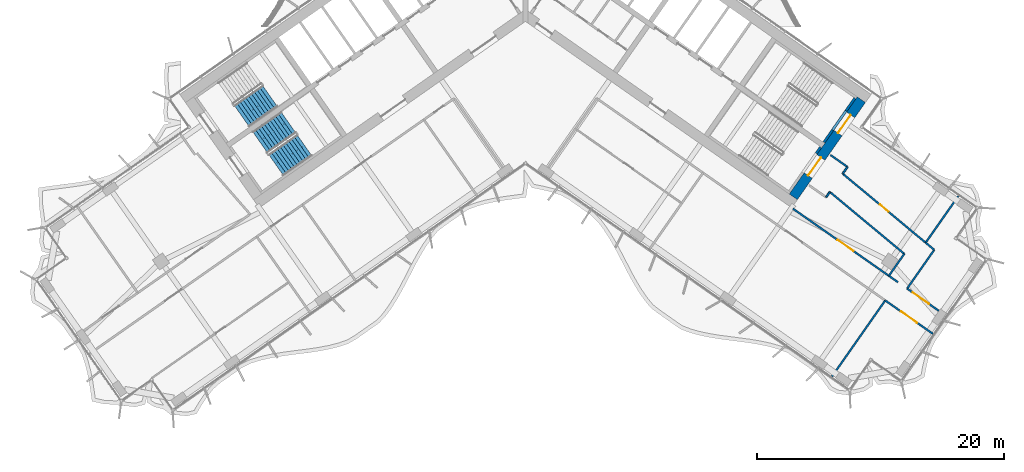
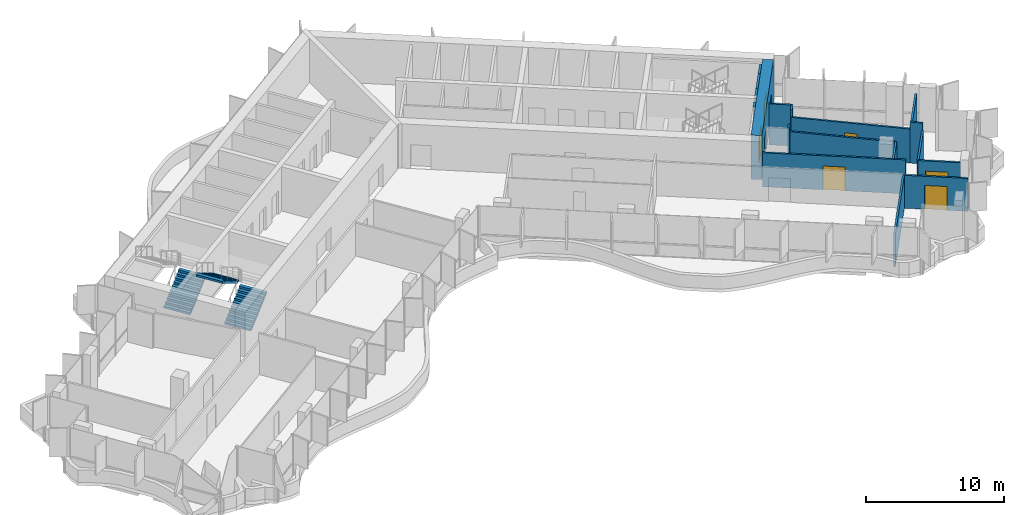
# One storey, part 15 of 21: 18 walls, 6 doors, 3 stair flights, 6 openings, 2 elements without a shape of their own.
"""IFC4 building model written with IfcOpenShell, lengths in metres."""

from ifc_helpers import new_model, si_unit, direction, frame, frame_2d, origin, place, context, subcontext, project, spatial, polyline, rectangle, outline, extrude, material, layer, layer_set, type_object, element, fill, aggregate, save


model = new_model("IFC4")

# Units and contexts
model_context = context("Model", 3, precision=1e-05, world=origin(), true_north=direction((0.0, 1.0)))
body_context = subcontext(model_context, "Body", "Model", "MODEL_VIEW")
ifc_project = project(units=[si_unit("LENGTHUNIT", "METRE"), si_unit("AREAUNIT", "SQUARE_METRE"), si_unit("VOLUMEUNIT", "CUBIC_METRE"), si_unit("PLANEANGLEUNIT", "RADIAN"), si_unit("MASSUNIT", "GRAM", prefix="KILO")], contexts=[model_context])

# Site, building, storey
site_placement = place(None, origin())
site = spatial("IfcSite", under=ifc_project, at=site_placement, CompositionType="ELEMENT")
building_placement = place(site_placement, origin())
building = spatial("IfcBuilding", under=site, at=building_placement, Name="Tel Ilan Convention Tower", CompositionType="ELEMENT")
storey_placement = place(building_placement, frame((0.0, 0.0, 147.60009765625)))
storey = spatial("IfcBuildingStorey", under=building, at=storey_placement, Name="L33", CompositionType="ELEMENT", Elevation=147.60009765625)

# Wall, openings, doors
ifc_material_1 = material(Name="Concrete C50/60", Category="concrete")
ifc_layer_1 = layer(ifc_material_1, 0.800048828125)
ifc_layer_set_1 = layer_set([ifc_layer_1], Name="Core Shear Wall 800 mm C50/60")
wall_type_1 = type_object("IfcWallType", Name="Core Shear Wall 800 mm C50/60", PredefinedType="SHEAR", material=ifc_layer_set_1)
wall_1_placement = place(storey_placement, frame((21.6748046875, -15.4208984375, 0.0), z_axis=(0.0, 0.0, 1.0), x_axis=(0.573581815061, 0.819148278049, 0.0)))
wall_1 = element("IfcWall", 1, at=wall_1_placement, inside=storey, type_object=wall_type_1, Name="L33 core wall E-end", PredefinedType="SHEAR", context=body_context, shape_type="SweptSolid", body=[
    extrude(outline(polyline([(9.599853515625, 0.400146484375), (0.0, 0.39990234375), (0.0, -0.39990234375), (9.599853515625, -0.39990234375), (9.599853515625, 0.400146484375)])), origin(), (0.0, 0.0, 1.0), 3.89990234375),
])
opening_1_placement = place(wall_1_placement, frame((6.300048828125, 0.0, 0.0)))
opening_1 = element("IfcOpeningElement", 2, at=opening_1_placement, cuts=wall_1, Name="Opening SD2703", PredefinedType="OPENING", context=body_context, shape_type="SweptSolid", body=[
    extrude(rectangle(XDim=1.800048828125, YDim=2.10009765625, at=frame_2d((0.89990234375, 1.050048828125))), frame((0.0, 0.409912109375, 0.0), z_axis=(0.0, -1.0, 0.0), x_axis=(1.0, 0.0, 0.0)), (0.0, 0.0, 1.0), 0.820068359375),
])
opening_2_placement = place(wall_1_placement, frame((2.10009765625, 0.0, 0.0)))
opening_2 = element("IfcOpeningElement", 3, at=opening_2_placement, cuts=wall_1, Name="Opening SD2704", PredefinedType="OPENING", context=body_context, shape_type="SweptSolid", body=[
    extrude(rectangle(XDim=1.800048828125, YDim=2.10009765625, at=frame_2d((0.89990234375, 1.050048828125))), frame((0.0, 0.409912109375, 0.0), z_axis=(0.0, -1.0, 0.0), x_axis=(1.0, 0.0, 0.0)), (0.0, 0.0, 1.0), 0.820068359375),
])
ifc_material_2 = material(Name="Galvanised Steel Door Leaf", Category="steel")
door_type_1 = type_object("IfcDoorType", Name="Stair Fire Door 1800 x 2100 FD60S", OperationType="NOTDEFINED", PredefinedType="DOOR", material=ifc_material_2)
door_1_placement = place(opening_1_placement, origin())
door_1 = element("IfcDoor", 4, at=door_1_placement, inside=storey, type_object=door_type_1, Name="Stair S3 door", OperationType="DOUBLE_DOOR_SINGLE_SWING", OverallHeight=2.10009765625, OverallWidth=1.800048828125, PredefinedType="DOOR", context=body_context, shape_type="SweptSolid", body=[
    extrude(rectangle(XDim=1.800048828125, YDim=2.10009765625, at=frame_2d((0.89990234375, 1.050048828125))), frame((0.0, 0.02490234375, 0.0), z_axis=(0.0, -1.0, 0.0), x_axis=(1.0, 0.0, 0.0)), (0.0, 0.0, 1.0), 0.050048828125),
])
fill(opening_1, door_1)
door_2_placement = place(opening_2_placement, origin())
door_2 = element("IfcDoor", 5, at=door_2_placement, inside=storey, type_object=door_type_1, Name="Stair S4 door", OperationType="DOUBLE_DOOR_SINGLE_SWING", OverallHeight=2.10009765625, OverallWidth=1.800048828125, PredefinedType="DOOR", context=body_context, shape_type="SweptSolid", body=[
    extrude(rectangle(XDim=1.800048828125, YDim=2.10009765625, at=frame_2d((0.89990234375, 1.050048828125))), frame((0.0, 0.02490234375, 0.0), z_axis=(0.0, -1.0, 0.0), x_axis=(1.0, 0.0, 0.0)), (0.0, 0.0, 1.0), 0.050048828125),
])
fill(opening_2, door_2)

# Wall, opening, door
ifc_material_3 = material(Name="Plasterboard on Steel Studs", Category="steel")
ifc_layer_2 = layer(ifc_material_3, 0.14990234375)
ifc_layer_set_2 = layer_set([ifc_layer_2], Name="Fire-rated Partition 150 EI 60")
wall_type_2 = type_object("IfcWallType", Name="Fire-rated Partition 150 EI 60", PredefinedType="PARTITIONING", material=ifc_layer_set_2)
wall_2_placement = place(storey_placement, frame((21.641845703125, -16.37451171875, 0.0), z_axis=(0.0, 0.0, 1.0), x_axis=(0.81915236897, -0.573575972658, 0.0)))
wall_2 = element("IfcWall", 6, at=wall_2_placement, inside=storey, type_object=wall_type_2, Name="Partition 001", PredefinedType="PARTITIONING", context=body_context, shape_type="SweptSolid", body=[
    extrude(rectangle(XDim=10.3818359375, YDim=0.14990234375, at=frame_2d((5.19091796875, 0.0))), origin(), (0.0, 0.0, 1.0), 3.0),
])
opening_3_placement = place(wall_2_placement, frame((4.39111328125, 0.0, 0.0)))
opening_3 = element("IfcOpeningElement", 7, at=opening_3_placement, cuts=wall_2, Name="Opening L33-012", PredefinedType="OPENING", context=body_context, shape_type="SweptSolid", body=[
    extrude(rectangle(XDim=1.60009765625, YDim=2.10009765625, at=frame_2d((0.800048828125, 1.050048828125))), frame((0.0, 0.0849609375, 0.0), z_axis=(0.0, -1.0, 0.0), x_axis=(1.0, 0.0, 0.0)), (0.0, 0.0, 1.0), 0.169921875),
])
ifc_material_4 = material(Name="Timber Door Leaf in Steel Frame", Category="steel")
door_type_2 = type_object("IfcDoorType", Name="Tenant Suite Entrance Fire Door 1600x2100", OperationType="NOTDEFINED", PredefinedType="DOOR", material=ifc_material_4)
door_3_placement = place(opening_3_placement, origin())
door_3 = element("IfcDoor", 8, at=door_3_placement, inside=storey, type_object=door_type_2, Name="Door L33-012", OperationType="DOUBLE_DOOR_SINGLE_SWING", OverallHeight=2.10009765625, OverallWidth=1.60009765625, PredefinedType="DOOR", context=body_context, shape_type="SweptSolid", body=[
    extrude(rectangle(XDim=1.60009765625, YDim=2.10009765625, at=frame_2d((0.800048828125, 1.050048828125))), frame((0.0, 0.02490234375, 0.0), z_axis=(0.0, -1.0, 0.0), x_axis=(1.0, 0.0, 0.0)), (0.0, 0.0, 1.0), 0.050048828125),
])
fill(opening_3, door_3)

wall_3_placement = place(storey_placement, frame((30.880126953125, -22.84326171875, 0.0), z_axis=(0.0, 0.0, 1.0), x_axis=(0.819133037421, -0.573603580015, 0.0)))
wall_3 = element("IfcWall", 9, at=wall_3_placement, inside=storey, type_object=wall_type_2, Name="Partition 002", PredefinedType="PARTITIONING", context=body_context, shape_type="SweptSolid", body=[
    extrude(rectangle(XDim=3.132080078125, YDim=0.14990234375, at=frame_2d((1.56591796875, 0.0))), origin(), (0.0, 0.0, 1.0), 3.0),
])
opening_4_placement = place(wall_3_placement, frame((0.56591796875, 0.0, 0.0)))
opening_4 = element("IfcOpeningElement", 10, at=opening_4_placement, cuts=wall_3, Name="Opening L33-013", PredefinedType="OPENING", context=body_context, shape_type="SweptSolid", body=[
    extrude(rectangle(XDim=1.60009765625, YDim=2.10009765625, at=frame_2d((0.800048828125, 1.050048828125))), frame((0.0, 0.0849609375, 0.0), z_axis=(0.0, -1.0, 0.0), x_axis=(1.0, 0.0, 0.0)), (0.0, 0.0, 1.0), 0.169921875),
])
door_4_placement = place(opening_4_placement, origin())
door_4 = element("IfcDoor", 11, at=door_4_placement, inside=storey, type_object=door_type_2, Name="Door L33-013", OperationType="DOUBLE_DOOR_SINGLE_SWING", OverallHeight=2.10009765625, OverallWidth=1.60009765625, PredefinedType="DOOR", context=body_context, shape_type="SweptSolid", body=[
    extrude(rectangle(XDim=1.60009765625, YDim=2.10009765625, at=frame_2d((0.800048828125, 1.050048828125))), frame((0.0, 0.02490234375, 0.0), z_axis=(0.0, -1.0, 0.0), x_axis=(1.0, 0.0, 0.0)), (0.0, 0.0, 1.0), 0.050048828125),
])
fill(opening_4, door_4)

wall_4_placement = place(storey_placement, frame((32.962158203125, -26.49853515625, 0.0), z_axis=(0.0, 0.0, 1.0), x_axis=(-0.819139214842, 0.573594758263, 0.0)))
wall_4 = element("IfcWall", 12, at=wall_4_placement, inside=storey, type_object=wall_type_2, Name="Partition 005", PredefinedType="PARTITIONING", context=body_context, shape_type="SweptSolid", body=[
    extrude(rectangle(XDim=4.701904296875, YDim=0.14990234375, at=frame_2d((2.35107421875, 0.0))), origin(), (0.0, 0.0, 1.0), 2.89990234375),
])
opening_5_placement = place(wall_4_placement, frame((1.551025390625, 0.0, 0.0)))
opening_5 = element("IfcOpeningElement", 13, at=opening_5_placement, cuts=wall_4, Name="Opening L33-011", PredefinedType="OPENING", context=body_context, shape_type="SweptSolid", body=[
    extrude(rectangle(XDim=1.60009765625, YDim=2.10009765625, at=frame_2d((0.800048828125, 1.050048828125))), frame((0.0, 0.0849609375, 0.0), z_axis=(0.0, -1.0, 0.0), x_axis=(1.0, 0.0, 0.0)), (0.0, 0.0, 1.0), 0.169921875),
])
door_5_placement = place(opening_5_placement, origin())
door_5 = element("IfcDoor", 14, at=door_5_placement, inside=storey, type_object=door_type_2, Name="Door L33-011", OperationType="DOUBLE_DOOR_SINGLE_SWING", OverallHeight=2.10009765625, OverallWidth=1.60009765625, PredefinedType="DOOR", context=body_context, shape_type="SweptSolid", body=[
    extrude(rectangle(XDim=1.60009765625, YDim=2.10009765625, at=frame_2d((0.800048828125, 1.050048828125))), frame((0.0, 0.02490234375, 0.0), z_axis=(0.0, -1.0, 0.0), x_axis=(1.0, 0.0, 0.0)), (0.0, 0.0, 1.0), 0.050048828125),
])
fill(opening_5, door_5)

# Wall
wall_5_placement = place(storey_placement, frame((35.02001953125, -15.365478515625, 0.0), z_axis=(0.0, 0.0, 1.0), x_axis=(-0.573604943476, -0.819132082646, 0.0)))
element("IfcWall", 15, at=wall_5_placement, inside=storey, type_object=wall_type_2, Name="Partition 012", PredefinedType="PARTITIONING", context=body_context, shape_type="SweptSolid", body=[
    extrude(rectangle(XDim=4.595947265625, YDim=0.14990234375, at=frame_2d((2.2978515625, 0.0))), origin(), (0.0, 0.0, 1.0), 2.89990234375),
])

# Wall, opening, door
wall_6_placement = place(storey_placement, frame((32.3837890625, -19.130126953125, 0.0), z_axis=(0.0, 0.0, 1.0), x_axis=(-0.768750532262, 0.639548762134, 0.0)))
wall_6 = element("IfcWall", 16, at=wall_6_placement, inside=storey, type_object=wall_type_2, Name="Partition 013", PredefinedType="PARTITIONING", context=body_context, shape_type="SweptSolid", body=[
    extrude(rectangle(XDim=8.72998046875, YDim=0.14990234375, at=frame_2d((4.364990234375, 0.0))), origin(), (0.0, 0.0, 1.0), 3.0),
])
opening_6_placement = place(wall_6_placement, frame((3.9150390625, 0.0, 0.0)))
opening_6 = element("IfcOpeningElement", 17, at=opening_6_placement, cuts=wall_6, Name="Opening L33-014", PredefinedType="OPENING", context=body_context, shape_type="SweptSolid", body=[
    extrude(rectangle(XDim=0.89990234375, YDim=2.10009765625, at=frame_2d((0.449951171875, 1.050048828125))), frame((0.0, 0.0849609375, 0.0), z_axis=(0.0, -1.0, 0.0), x_axis=(1.0, 0.0, 0.0)), (0.0, 0.0, 1.0), 0.169921875),
])
ifc_material_5 = material(Name="Timber Door Leaf in Steel Frame", Category="steel")
door_type_3 = type_object("IfcDoorType", Name="Room Fire Door 900x2100", OperationType="NOTDEFINED", PredefinedType="DOOR", material=ifc_material_5)
door_6_placement = place(opening_6_placement, origin())
door_6 = element("IfcDoor", 18, at=door_6_placement, inside=storey, type_object=door_type_3, Name="Door L33-014", OperationType="SINGLE_SWING_RIGHT", OverallHeight=2.10009765625, OverallWidth=0.89990234375, PredefinedType="DOOR", context=body_context, shape_type="SweptSolid", body=[
    extrude(rectangle(XDim=0.89990234375, YDim=2.10009765625, at=frame_2d((0.449951171875, 1.050048828125))), frame((0.0, 0.02490234375, 0.0), z_axis=(0.0, -1.0, 0.0), x_axis=(1.0, 0.0, 0.0)), (0.0, 0.0, 1.0), 0.050048828125),
])
fill(opening_6, door_6)

# Walls
wall_7_placement = place(storey_placement, frame((25.672607421875, -13.546875, 0.0), z_axis=(0.0, 0.0, 1.0), x_axis=(0.573511127478, 0.819197770175, 0.0)))
element("IfcWall", 19, at=wall_7_placement, inside=storey, type_object=wall_type_2, Name="Partition 014", PredefinedType="PARTITIONING", context=body_context, shape_type="SweptSolid", body=[
    extrude(rectangle(XDim=0.671630859375, YDim=0.14990234375, at=frame_2d((0.3359375, 0.0))), origin(), (0.0, 0.0, 1.0), 3.619873046875),
])
wall_8_placement = place(storey_placement, frame((26.057861328125, -12.99658203125, 0.0), z_axis=(0.0, 0.0, 1.0), x_axis=(-0.819109000826, 0.573637903879, 0.0)))
element("IfcWall", 20, at=wall_8_placement, inside=storey, type_object=wall_type_2, Name="Partition 015", PredefinedType="PARTITIONING", context=body_context, shape_type="SweptSolid", body=[
    extrude(rectangle(XDim=1.679931640625, YDim=0.14990234375, at=frame_2d((0.83984375, 0.0))), origin(), (0.0, 0.0, 1.0), 3.619873046875),
])
wall_9_placement = place(storey_placement, frame((24.337158203125, -15.4541015625, 0.0), z_axis=(0.0, 0.0, 1.0), x_axis=(0.573870335358, 0.818946175396, 0.0)))
element("IfcWall", 21, at=wall_9_placement, inside=storey, type_object=wall_type_2, Name="Partition 017", PredefinedType="PARTITIONING", context=body_context, shape_type="SweptSolid", body=[
    extrude(rectangle(XDim=0.52197265625, YDim=0.14990234375, at=frame_2d((0.260986328125, 0.0))), origin(), (0.0, 0.0, 1.0), 3.619873046875),
])
wall_10_placement = place(storey_placement, frame((24.63671875, -15.026611328125, 0.0), z_axis=(0.0, 0.0, 1.0), x_axis=(0.768763032688, -0.639533736071, 0.0)))
element("IfcWall", 22, at=wall_10_placement, inside=storey, type_object=wall_type_2, Name="Partition 018", PredefinedType="PARTITIONING", context=body_context, shape_type="SweptSolid", body=[
    extrude(rectangle(XDim=7.826904296875, YDim=0.14990234375, at=frame_2d((3.91357421875, 0.0))), origin(), (0.0, 0.0, 1.0), 3.0),
])
wall_11_placement = place(storey_placement, frame((30.65380859375, -20.0322265625, 0.0), z_axis=(0.0, 0.0, 1.0), x_axis=(-0.573613157475, -0.819126330655, 0.0)))
element("IfcWall", 23, at=wall_11_placement, inside=storey, type_object=wall_type_2, Name="Partition 019", PredefinedType="PARTITIONING", context=body_context, shape_type="SweptSolid", body=[
    extrude(rectangle(XDim=2.1728515625, YDim=0.14990234375, at=frame_2d((1.08642578125, 0.0))), origin(), (0.0, 0.0, 1.0), 3.0),
])
wall_12_placement = place(storey_placement, frame((30.8818359375, -22.844482421875, 0.0), z_axis=(0.0, 0.0, 1.0), x_axis=(0.573565036961, 0.819160026109, 0.0)))
element("IfcWall", 24, at=wall_12_placement, inside=storey, type_object=wall_type_2, Name="Partition 021", PredefinedType="PARTITIONING", context=body_context, shape_type="SweptSolid", body=[
    extrude(rectangle(XDim=3.8291015625, YDim=0.14990234375, at=frame_2d((1.91455078125, 0.0))), origin(), (0.0, 0.0, 1.0), 3.0),
])
wall_13_placement = place(storey_placement, frame((33.078125, -19.707763671875, 0.0), z_axis=(0.0, 0.0, 1.0), x_axis=(-0.768752765825, 0.639546077336, 0.0)))
element("IfcWall", 25, at=wall_13_placement, inside=storey, type_object=wall_type_2, Name="Partition 022", PredefinedType="PARTITIONING", context=body_context, shape_type="SweptSolid", body=[
    extrude(rectangle(XDim=0.903076171875, YDim=0.14990234375, at=frame_2d((0.45166015625, 0.0))), origin(), (0.0, 0.0, 1.0), 3.619873046875),
])
wall_14_placement = place(storey_placement, frame((29.1123046875, -23.802734375, 0.0), z_axis=(0.0, 0.0, 1.0), x_axis=(-0.573597787563, -0.819137093595, 0.0)))
element("IfcWall", 26, at=wall_14_placement, inside=storey, type_object=wall_type_2, Name="Partition 028", PredefinedType="PARTITIONING", context=body_context, shape_type="SweptSolid", body=[
    extrude(rectangle(XDim=7.5, YDim=0.14990234375, at=frame_2d((3.75, 0.0))), origin(), (0.0, 0.0, 1.0), 2.89990234375),
])
ifc_material_6 = material(Name="Concrete C30/37", Category="concrete")
ifc_layer_3 = layer(ifc_material_6, 0.199951171875)
ifc_layer_set_3 = layer_set([ifc_layer_3], Name="Stair and Shaft Lining Wall 200 mm C30/37")
wall_type_3 = type_object("IfcWallType", Name="Stair and Shaft Lining Wall 200 mm C30/37", PredefinedType="SOLIDWALL", material=ifc_layer_set_3)
wall_15_placement = place(storey_placement, frame((24.16162109375, -10.99755859375, 0.0), z_axis=(0.0, 0.0, 1.0), x_axis=(0.573612502218, 0.819126789514, 0.0)))
element("IfcWall", 27, at=wall_15_placement, inside=storey, type_object=wall_type_3, Name="L33 core wall lining-S3-u1-0", PredefinedType="SOLIDWALL", context=body_context, shape_type="SweptSolid", body=[
    extrude(rectangle(XDim=1.2001953125, YDim=0.199951171875, at=frame_2d((0.60009765625, 0.0))), origin(), (0.0, 0.0, 1.0), 3.619873046875),
])
wall_16_placement = place(storey_placement, frame((25.939697265625, -8.4580078125, 0.0), z_axis=(0.0, 0.0, 1.0), x_axis=(0.573619628835, 0.819121798889, 0.0)))
element("IfcWall", 28, at=wall_16_placement, inside=storey, type_object=wall_type_3, Name="L33 core wall lining-S3-u1-1", PredefinedType="SOLIDWALL", context=body_context, shape_type="SweptSolid", body=[
    extrude(rectangle(XDim=1.25, YDim=0.199951171875, at=frame_2d((0.625, 0.0))), origin(), (0.0, 0.0, 1.0), 3.619873046875),
])
wall_17_placement = place(storey_placement, frame((24.85009765625, -10.014404296875, 2.14990234375), z_axis=(0.0, 0.0, 1.0), x_axis=(0.573505465124, 0.819201734296, 0.0)))
element("IfcWall", 29, at=wall_17_placement, inside=storey, type_object=wall_type_3, Name="L33 core wall lining-S3-u1-lintel", PredefinedType="SOLIDWALL", context=body_context, shape_type="SweptSolid", body=[
    extrude(rectangle(XDim=1.89990234375, YDim=0.199951171875, at=frame_2d((0.949951171875, 0.0))), origin(), (0.0, 0.0, 1.0), 1.469970703125),
])
wall_18_placement = place(storey_placement, frame((23.53076171875, -11.8984375, 0.0), z_axis=(0.0, 0.0, 1.0), x_axis=(0.573708088123, 0.819059844958, 0.0)))
element("IfcWall", 30, at=wall_18_placement, inside=storey, type_object=wall_type_3, Name="L33 core wall lining-S4-u1-1", PredefinedType="SOLIDWALL", context=body_context, shape_type="SweptSolid", body=[
    extrude(rectangle(XDim=0.60009765625, YDim=0.199951171875, at=frame_2d((0.300048828125, 0.0))), origin(), (0.0, 0.0, 1.0), 3.619873046875),
])

# Stair, stair flight
ifc_material_7 = material(Name="Concrete C40/50", Category="concrete")
stair_type = type_object("IfcStairType", Name="Pressurised Exit Stair 22 risers 177 mm", PredefinedType="HALF_TURN_STAIR", material=ifc_material_7)
stair_1_placement = place(storey_placement, origin())
stair_1 = element("IfcStair", 31, at=stair_1_placement, inside=storey, type_object=stair_type, Name="L33 Pressurised Stair S1", PredefinedType="HALF_TURN_STAIR")
ifc_material_8 = material(Name="Precast Concrete C40/50", Category="concrete")
stair_flight_type = type_object("IfcStairFlightType", Name="Concrete Stair Flight 2100 mm 22 risers 177 mm", PredefinedType="STRAIGHT", material=ifc_material_8)
stair_flight_1_placement = place(storey_placement, frame((-22.9619140625, -8.87548828125, 0.0), z_axis=(0.0, 0.0, 1.0), x_axis=(0.819152044289, 0.573576436351, 0.0)))
stair_flight_1 = element("IfcStairFlight", 32, at=stair_flight_1_placement, type_object=stair_flight_type, Name="S1 flight 1", NumberOfRisers=11, NumberOfTreads=10, PredefinedType="STRAIGHT", RiserHeight=0.177272727, TreadLength=0.28, context=body_context, shape_type="SweptSolid", body=[
    extrude(outline(polyline([(0.0, 0.0), (0.0, 0.17724609375), (0.280029296875, 0.17724609375), (0.280029296875, 0.3544921875), (0.56005859375, 0.3544921875), (0.56005859375, 0.53173828125), (0.840087890625, 0.53173828125), (0.840087890625, 0.708984375), (1.1201171875, 0.708984375), (1.1201171875, 0.886474609375), (1.39990234375, 0.886474609375), (1.39990234375, 1.063720703125), (1.679931640625, 1.063720703125), (1.679931640625, 1.240966796875), (1.9599609375, 1.240966796875), (1.9599609375, 1.418212890625), (2.239990234375, 1.418212890625), (2.239990234375, 1.595458984375), (2.52001953125, 1.595458984375), (2.52001953125, 1.772705078125), (2.800048828125, 1.772705078125), (2.800048828125, 1.949951171875), (2.800048828125, 1.59521484375), (0.2802734375, 0.0), (0.0, 0.0)])), frame((0.0, -0.100341796875, 0.0), z_axis=(0.0, -1.0, 0.0), x_axis=(1.0, 0.0, 0.0)), (0.0, 0.0, 1.0), 0.94970703125),
    extrude(outline(polyline([(0.0, 0.0), (0.0, 0.17724609375), (0.280029296875, 0.17724609375), (0.280029296875, 0.3544921875), (0.56005859375, 0.3544921875), (0.56005859375, 0.53173828125), (0.840087890625, 0.53173828125), (0.840087890625, 0.708984375), (1.1201171875, 0.708984375), (1.1201171875, 0.886474609375), (1.39990234375, 0.886474609375), (1.39990234375, 1.063720703125), (1.679931640625, 1.063720703125), (1.679931640625, 1.240966796875), (1.9599609375, 1.240966796875), (1.9599609375, 1.418212890625), (2.239990234375, 1.418212890625), (2.239990234375, 1.595458984375), (2.52001953125, 1.595458984375), (2.52001953125, 1.772705078125), (2.800048828125, 1.772705078125), (2.800048828125, 1.949951171875), (2.800048828125, 1.59521484375), (0.2802734375, 0.0), (0.0, 0.0)])), frame((0.0, -0.000244140625, 0.0), z_axis=(0.0, -1.0, 0.0), x_axis=(1.0, 0.0, 0.0)), (0.0, 0.0, 1.0), 0.099609375),
    extrude(outline(polyline([(0.0, 0.0), (0.0, 0.17724609375), (0.280029296875, 0.17724609375), (0.280029296875, 0.3544921875), (0.56005859375, 0.3544921875), (0.56005859375, 0.53173828125), (0.840087890625, 0.53173828125), (0.840087890625, 0.708984375), (1.1201171875, 0.708984375), (1.1201171875, 0.886474609375), (1.39990234375, 0.886474609375), (1.39990234375, 1.063720703125), (1.679931640625, 1.063720703125), (1.679931640625, 1.240966796875), (1.9599609375, 1.240966796875), (1.9599609375, 1.418212890625), (2.239990234375, 1.418212890625), (2.239990234375, 1.595458984375), (2.52001953125, 1.595458984375), (2.52001953125, 1.772705078125), (2.800048828125, 1.772705078125), (2.800048828125, 1.949951171875), (2.800048828125, 1.59521484375), (0.2802734375, 0.0), (0.0, 0.0)])), frame((0.0, 0.099853515625, 0.0), z_axis=(0.0, -1.0, 0.0), x_axis=(1.0, 0.0, 0.0)), (0.0, 0.0, 1.0), 0.099609375),
    extrude(outline(polyline([(0.0, 0.0), (0.0, 0.17724609375), (0.280029296875, 0.17724609375), (0.280029296875, 0.3544921875), (0.56005859375, 0.3544921875), (0.56005859375, 0.53173828125), (0.840087890625, 0.53173828125), (0.840087890625, 0.708984375), (1.1201171875, 0.708984375), (1.1201171875, 0.886474609375), (1.39990234375, 0.886474609375), (1.39990234375, 1.063720703125), (1.679931640625, 1.063720703125), (1.679931640625, 1.240966796875), (1.9599609375, 1.240966796875), (1.9599609375, 1.418212890625), (2.239990234375, 1.418212890625), (2.239990234375, 1.595458984375), (2.52001953125, 1.595458984375), (2.52001953125, 1.772705078125), (2.800048828125, 1.772705078125), (2.800048828125, 1.949951171875), (2.800048828125, 1.59521484375), (0.2802734375, 0.0), (0.0, 0.0)])), frame((0.0, 1.050048828125, 0.0), z_axis=(0.0, -1.0, 0.0), x_axis=(1.0, 0.0, 0.0)), (0.0, 0.0, 1.0), 0.94970703125),
])
aggregate(stair_1, [stair_flight_1])

# Stair, stair flights
stair_2_placement = place(storey_placement, origin())
stair_2 = element("IfcStair", 33, at=stair_2_placement, inside=storey, type_object=stair_type, Name="L33 Pressurised Stair S2", PredefinedType="HALF_TURN_STAIR")
stair_flight_2_placement = place(storey_placement, frame((-20.179931640625, -12.848388671875, 0.0), z_axis=(0.0, 0.0, 1.0), x_axis=(0.819152044289, 0.573576436351, 0.0)))
stair_flight_2 = element("IfcStairFlight", 34, at=stair_flight_2_placement, type_object=stair_flight_type, Name="S2 flight 1", NumberOfRisers=11, NumberOfTreads=10, PredefinedType="STRAIGHT", RiserHeight=0.177272727, TreadLength=0.28, context=body_context, shape_type="SweptSolid", body=[
    extrude(outline(polyline([(0.0, 0.0), (0.0, 0.17724609375), (0.280029296875, 0.17724609375), (0.280029296875, 0.3544921875), (0.56005859375, 0.3544921875), (0.56005859375, 0.53173828125), (0.840087890625, 0.53173828125), (0.840087890625, 0.708984375), (1.1201171875, 0.708984375), (1.1201171875, 0.886474609375), (1.39990234375, 0.886474609375), (1.39990234375, 1.063720703125), (1.679931640625, 1.063720703125), (1.679931640625, 1.240966796875), (1.9599609375, 1.240966796875), (1.9599609375, 1.418212890625), (2.239990234375, 1.418212890625), (2.239990234375, 1.595458984375), (2.52001953125, 1.595458984375), (2.52001953125, 1.772705078125), (2.800048828125, 1.772705078125), (2.800048828125, 1.949951171875), (2.800048828125, 1.59521484375), (0.2802734375, 0.0), (0.0, 0.0)])), frame((0.0, -0.100341796875, 0.0), z_axis=(0.0, -1.0, 0.0), x_axis=(1.0, 0.0, 0.0)), (0.0, 0.0, 1.0), 0.94970703125),
    extrude(outline(polyline([(0.0, 0.0), (0.0, 0.17724609375), (0.280029296875, 0.17724609375), (0.280029296875, 0.3544921875), (0.56005859375, 0.3544921875), (0.56005859375, 0.53173828125), (0.840087890625, 0.53173828125), (0.840087890625, 0.708984375), (1.1201171875, 0.708984375), (1.1201171875, 0.886474609375), (1.39990234375, 0.886474609375), (1.39990234375, 1.063720703125), (1.679931640625, 1.063720703125), (1.679931640625, 1.240966796875), (1.9599609375, 1.240966796875), (1.9599609375, 1.418212890625), (2.239990234375, 1.418212890625), (2.239990234375, 1.595458984375), (2.52001953125, 1.595458984375), (2.52001953125, 1.772705078125), (2.800048828125, 1.772705078125), (2.800048828125, 1.949951171875), (2.800048828125, 1.59521484375), (0.2802734375, 0.0), (0.0, 0.0)])), frame((0.0, -0.000244140625, 0.0), z_axis=(0.0, -1.0, 0.0), x_axis=(1.0, 0.0, 0.0)), (0.0, 0.0, 1.0), 0.099609375),
    extrude(outline(polyline([(0.0, 0.0), (0.0, 0.17724609375), (0.280029296875, 0.17724609375), (0.280029296875, 0.3544921875), (0.56005859375, 0.3544921875), (0.56005859375, 0.53173828125), (0.840087890625, 0.53173828125), (0.840087890625, 0.708984375), (1.1201171875, 0.708984375), (1.1201171875, 0.886474609375), (1.39990234375, 0.886474609375), (1.39990234375, 1.063720703125), (1.679931640625, 1.063720703125), (1.679931640625, 1.240966796875), (1.9599609375, 1.240966796875), (1.9599609375, 1.418212890625), (2.239990234375, 1.418212890625), (2.239990234375, 1.595458984375), (2.52001953125, 1.595458984375), (2.52001953125, 1.772705078125), (2.800048828125, 1.772705078125), (2.800048828125, 1.949951171875), (2.800048828125, 1.59521484375), (0.2802734375, 0.0), (0.0, 0.0)])), frame((0.0, 0.099853515625, 0.0), z_axis=(0.0, -1.0, 0.0), x_axis=(1.0, 0.0, 0.0)), (0.0, 0.0, 1.0), 0.099609375),
    extrude(outline(polyline([(0.0, 0.0), (0.0, 0.17724609375), (0.280029296875, 0.17724609375), (0.280029296875, 0.3544921875), (0.56005859375, 0.3544921875), (0.56005859375, 0.53173828125), (0.840087890625, 0.53173828125), (0.840087890625, 0.708984375), (1.1201171875, 0.708984375), (1.1201171875, 0.886474609375), (1.39990234375, 0.886474609375), (1.39990234375, 1.063720703125), (1.679931640625, 1.063720703125), (1.679931640625, 1.240966796875), (1.9599609375, 1.240966796875), (1.9599609375, 1.418212890625), (2.239990234375, 1.418212890625), (2.239990234375, 1.595458984375), (2.52001953125, 1.595458984375), (2.52001953125, 1.772705078125), (2.800048828125, 1.772705078125), (2.800048828125, 1.949951171875), (2.800048828125, 1.59521484375), (0.2802734375, 0.0), (0.0, 0.0)])), frame((0.0, 1.050048828125, 0.0), z_axis=(0.0, -1.0, 0.0), x_axis=(1.0, 0.0, 0.0)), (0.0, 0.0, 1.0), 0.94970703125),
])
stair_flight_3_placement = place(storey_placement, frame((-19.177001953125, -9.399169921875, 1.949951171875), z_axis=(0.0, 0.0, 1.0), x_axis=(-0.819152044289, -0.573576436351, 0.0)))
stair_flight_3 = element("IfcStairFlight", 35, at=stair_flight_3_placement, type_object=stair_flight_type, Name="S2 flight 2", NumberOfRisers=11, NumberOfTreads=10, PredefinedType="STRAIGHT", RiserHeight=0.177272727, TreadLength=0.28, context=body_context, shape_type="SweptSolid", body=[
    extrude(outline(polyline([(0.0, 0.0), (0.0, 0.17724609375), (0.280029296875, 0.17724609375), (0.280029296875, 0.3544921875), (0.56005859375, 0.3544921875), (0.56005859375, 0.53173828125), (0.840087890625, 0.53173828125), (0.840087890625, 0.708984375), (1.1201171875, 0.708984375), (1.1201171875, 0.886474609375), (1.39990234375, 0.886474609375), (1.39990234375, 1.063720703125), (1.679931640625, 1.063720703125), (1.679931640625, 1.240966796875), (1.9599609375, 1.240966796875), (1.9599609375, 1.418212890625), (2.239990234375, 1.418212890625), (2.239990234375, 1.595458984375), (2.52001953125, 1.595458984375), (2.52001953125, 1.772705078125), (2.800048828125, 1.772705078125), (2.800048828125, 1.949951171875), (2.800048828125, 1.59521484375), (0.2802734375, 0.0), (0.0, 0.0)])), frame((0.0, -0.100341796875, 0.0), z_axis=(0.0, -1.0, 0.0), x_axis=(1.0, 0.0, 0.0)), (0.0, 0.0, 1.0), 0.94970703125),
    extrude(outline(polyline([(0.0, 0.0), (0.0, 0.17724609375), (0.280029296875, 0.17724609375), (0.280029296875, 0.3544921875), (0.56005859375, 0.3544921875), (0.56005859375, 0.53173828125), (0.840087890625, 0.53173828125), (0.840087890625, 0.708984375), (1.1201171875, 0.708984375), (1.1201171875, 0.886474609375), (1.39990234375, 0.886474609375), (1.39990234375, 1.063720703125), (1.679931640625, 1.063720703125), (1.679931640625, 1.240966796875), (1.9599609375, 1.240966796875), (1.9599609375, 1.418212890625), (2.239990234375, 1.418212890625), (2.239990234375, 1.595458984375), (2.52001953125, 1.595458984375), (2.52001953125, 1.772705078125), (2.800048828125, 1.772705078125), (2.800048828125, 1.949951171875), (2.800048828125, 1.59521484375), (0.2802734375, 0.0), (0.0, 0.0)])), frame((0.0, -0.000244140625, 0.0), z_axis=(0.0, -1.0, 0.0), x_axis=(1.0, 0.0, 0.0)), (0.0, 0.0, 1.0), 0.099609375),
    extrude(outline(polyline([(0.0, 0.0), (0.0, 0.17724609375), (0.280029296875, 0.17724609375), (0.280029296875, 0.3544921875), (0.56005859375, 0.3544921875), (0.56005859375, 0.53173828125), (0.840087890625, 0.53173828125), (0.840087890625, 0.708984375), (1.1201171875, 0.708984375), (1.1201171875, 0.886474609375), (1.39990234375, 0.886474609375), (1.39990234375, 1.063720703125), (1.679931640625, 1.063720703125), (1.679931640625, 1.240966796875), (1.9599609375, 1.240966796875), (1.9599609375, 1.418212890625), (2.239990234375, 1.418212890625), (2.239990234375, 1.595458984375), (2.52001953125, 1.595458984375), (2.52001953125, 1.772705078125), (2.800048828125, 1.772705078125), (2.800048828125, 1.949951171875), (2.800048828125, 1.59521484375), (0.2802734375, 0.0), (0.0, 0.0)])), frame((0.0, 0.099853515625, 0.0), z_axis=(0.0, -1.0, 0.0), x_axis=(1.0, 0.0, 0.0)), (0.0, 0.0, 1.0), 0.099609375),
    extrude(outline(polyline([(0.0, 0.0), (0.0, 0.17724609375), (0.280029296875, 0.17724609375), (0.280029296875, 0.3544921875), (0.56005859375, 0.3544921875), (0.56005859375, 0.53173828125), (0.840087890625, 0.53173828125), (0.840087890625, 0.708984375), (1.1201171875, 0.708984375), (1.1201171875, 0.886474609375), (1.39990234375, 0.886474609375), (1.39990234375, 1.063720703125), (1.679931640625, 1.063720703125), (1.679931640625, 1.240966796875), (1.9599609375, 1.240966796875), (1.9599609375, 1.418212890625), (2.239990234375, 1.418212890625), (2.239990234375, 1.595458984375), (2.52001953125, 1.595458984375), (2.52001953125, 1.772705078125), (2.800048828125, 1.772705078125), (2.800048828125, 1.949951171875), (2.800048828125, 1.59521484375), (0.2802734375, 0.0), (0.0, 0.0)])), frame((0.0, 1.050048828125, 0.0), z_axis=(0.0, -1.0, 0.0), x_axis=(1.0, 0.0, 0.0)), (0.0, 0.0, 1.0), 0.94970703125),
])
aggregate(stair_2, [stair_flight_2, stair_flight_3])

save(model, "model.ifc")
